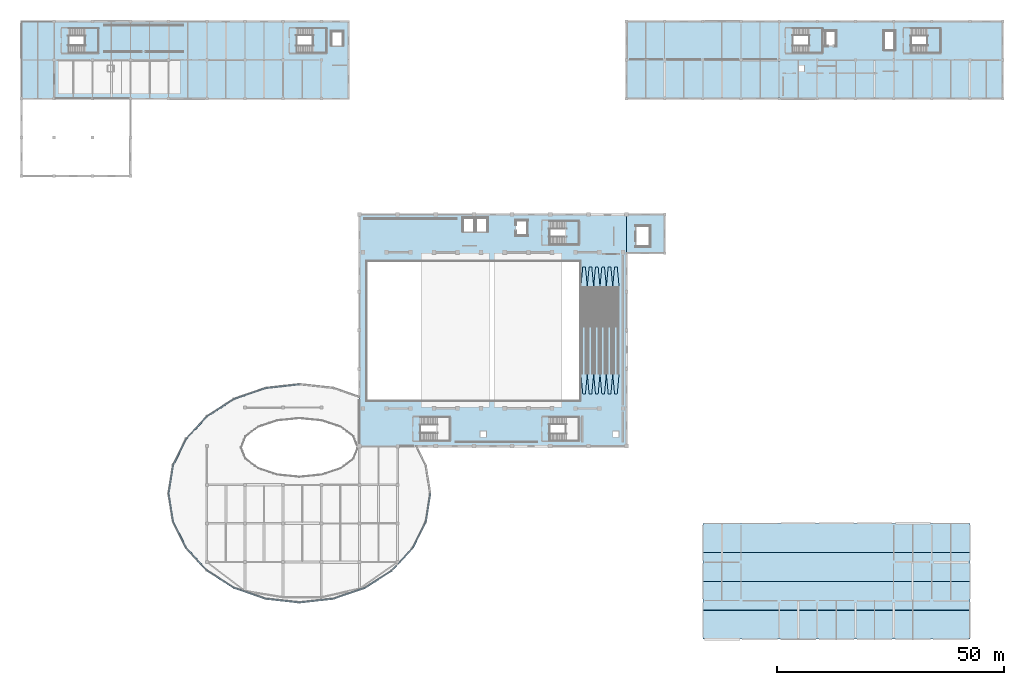
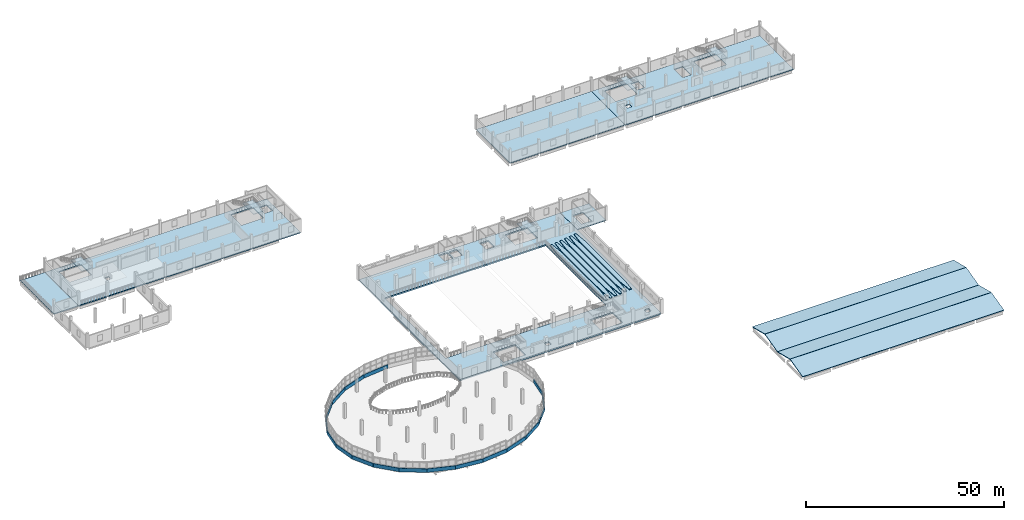
# One storey, part 35 of 50: 21 slabs, 19 walls, 5 elements without a shape of their own.
"""IFC4 building model written with IfcOpenShell, lengths in metres."""

from ifc_helpers import new_model, si_unit, direction, frame, frame_2d, origin, place, context, subcontext, project, spatial, polyline, rectangle, outline, extrude, material, layer, layer_set, type_object, element, aggregate, save


model = new_model("IFC4")

# Units and contexts
model_context = context("Model", 3, precision=1e-05, world=origin(), true_north=direction((0.0, 1.0)))
body_context = subcontext(model_context, "Body", "Model", "MODEL_VIEW")
ifc_project = project(units=[si_unit("LENGTHUNIT", "METRE"), si_unit("AREAUNIT", "SQUARE_METRE"), si_unit("VOLUMEUNIT", "CUBIC_METRE"), si_unit("PLANEANGLEUNIT", "RADIAN"), si_unit("MASSUNIT", "GRAM", prefix="KILO")], contexts=[model_context])

# Site, building, storey
site_placement = place(None, origin())
site = spatial("IfcSite", under=ifc_project, at=site_placement, CompositionType="ELEMENT")
building_placement = place(site_placement, origin())
building = spatial("IfcBuilding", under=site, at=building_placement, Name="Solvento Point Concert Hall", CompositionType="ELEMENT")
storey_placement = place(building_placement, frame((0.0, 0.0, 15.0)))
storey = spatial("IfcBuildingStorey", under=building, at=storey_placement, Name="L03", CompositionType="ELEMENT", Elevation=15.0)

# Slabs
ifc_material_1 = material(Name="Concrete C35/45", Category="concrete")
ifc_layer_1 = layer(ifc_material_1, 0.260009765625)
ifc_layer_set_1 = layer_set([ifc_layer_1], Name="Concrete C35/45")
slab_type_1 = type_object("IfcSlabType", Name="FloorSlab_260", PredefinedType="FLOOR", material=ifc_layer_set_1)
slab_1_placement = place(storey_placement, frame((0.0, 0.0, -0.260009765625)))
element("IfcSlab", 1, at=slab_1_placement, inside=storey, type_object=slab_type_1, Name="Structural slab SL-L03 SLAB-L03-V5K", PredefinedType="FLOOR", context=body_context, shape_type="SweptSolid", body=[
    extrude(outline(polyline([(133.199951171875, 136.0), (166.800048828125, 136.0), (166.800048828125, 119.0), (133.199951171875, 119.0), (133.199951171875, 136.0)])), origin(), (0.0, 0.0, 1.0), 0.260009765625),
])
slab_2_placement = place(storey_placement, frame((0.0, 0.0, -0.260009765625)))
element("IfcSlab", 2, at=slab_2_placement, inside=storey, type_object=slab_type_1, Name="Structural slab SL-L03 SLAB-L03-V5N", PredefinedType="FLOOR", context=body_context, shape_type="SweptSolid", body=[
    extrude(outline(polyline([(166.800048828125, 136.0), (216.0, 136.0), (216.0, 119.0), (166.800048828125, 119.0), (166.800048828125, 136.0)]), holes=[polyline([(202.300048828125, 129.10009765625), (202.300048828125, 134.5), (195.85009765625, 134.5), (195.85009765625, 129.10009765625), (202.300048828125, 129.10009765625)]), polyline([(192.280029296875, 133.8798828125), (189.919921875, 133.8798828125), (189.919921875, 129.719970703125), (192.280029296875, 129.719970703125), (192.280029296875, 133.8798828125)]), polyline([(179.280029296875, 130.719970703125), (179.280029296875, 133.8798828125), (177.1201171875, 133.8798828125), (177.1201171875, 130.719970703125), (179.280029296875, 130.719970703125)]), polyline([(176.300048828125, 134.5), (169.85009765625, 134.5), (169.85009765625, 129.10009765625), (176.300048828125, 129.10009765625), (176.300048828125, 134.5)]), polyline([(172.300048828125, 126.300048828125), (171.0, 126.300048828125), (171.0, 125.0), (172.300048828125, 125.0), (172.300048828125, 126.300048828125)])]), origin(), (0.0, 0.0, 1.0), 0.260009765625),
])
slab_3_placement = place(storey_placement, frame((0.0, 0.0, -0.260009765625)))
element("IfcSlab", 3, at=slab_3_placement, inside=storey, type_object=slab_type_1, Name="Structural slab SL-L03 SLAB-L03-V5M", PredefinedType="FLOOR", context=body_context, shape_type="SweptSolid", body=[
    extrude(outline(polyline([(133.199951171875, 93.5), (141.60009765625, 93.5), (141.60009765625, 85.0), (133.199951171875, 85.0), (133.199951171875, 93.5)]), holes=[polyline([(138.280029296875, 90.8798828125), (135.320068359375, 90.8798828125), (135.320068359375, 86.52001953125), (138.280029296875, 86.52001953125), (138.280029296875, 90.8798828125)])]), origin(), (0.0, 0.0, 1.0), 0.260009765625),
])
ifc_material_2 = material(Name="Concrete C35/45", Category="concrete")
ifc_layer_2 = layer(ifc_material_2, 0.31005859375)
ifc_layer_set_2 = layer_set([ifc_layer_2], Name="Concrete C35/45")
slab_type_2 = type_object("IfcSlabType", Name="FloorSlab_310_Rec", PredefinedType="FLOOR", material=ifc_layer_set_2)
slab_4_placement = place(storey_placement, frame((0.0, 0.0, -0.31005859375)))
element("IfcSlab", 4, at=slab_4_placement, inside=storey, type_object=slab_type_2, Name="Structural slab SL-REC SLAB-L03-V4N", PredefinedType="FLOOR", context=body_context, shape_type="SweptSolid", body=[
    extrude(outline(polyline([(7.199951171875, 136.0), (72.0, 136.0), (72.0, 119.0), (7.199951171875, 119.0), (7.199951171875, 136.0)]), holes=[polyline([(70.679931640625, 130.719970703125), (70.679931640625, 133.679931640625), (68.320068359375, 133.679931640625), (68.320068359375, 130.719970703125), (70.679931640625, 130.719970703125)]), polyline([(67.10009765625, 129.10009765625), (67.10009765625, 134.5), (60.64990234375, 134.5), (60.64990234375, 129.10009765625), (67.10009765625, 129.10009765625)]), polyline([(20.300048828125, 126.300048828125), (19.0, 126.300048828125), (19.0, 125.0), (20.300048828125, 125.0), (20.300048828125, 126.300048828125)]), polyline([(16.89990234375, 134.5), (10.449951171875, 134.5), (10.449951171875, 129.10009765625), (16.89990234375, 129.10009765625), (16.89990234375, 134.5)])]), origin(), (0.0, 0.0, 1.0), 0.31005859375),
])
ifc_material_3 = material(Name="Concrete C40/50", Category="concrete")
ifc_layer_3 = layer(ifc_material_3, 0.43994140625)
ifc_layer_set_3 = layer_set([ifc_layer_3], Name="Concrete C40/50")
slab_type_3 = type_object("IfcSlabType", Name="FloorSlab_415_Balc", PredefinedType="FLOOR", material=ifc_layer_set_3)
slab_5_placement = place(storey_placement, frame((0.0, 0.0, -0.43994140625)))
element("IfcSlab", 5, at=slab_5_placement, inside=storey, type_object=slab_type_3, Name="Structural slab SL-BAL SLAB-L03-V1", PredefinedType="FLOOR", context=body_context, shape_type="SweptSolid", body=[
    extrude(outline(polyline([(133.199951171875, 93.5), (133.199951171875, 42.5), (74.39990234375, 42.5), (74.39990234375, 93.5), (133.199951171875, 93.5)]), holes=[polyline([(131.5, 45.800048828125), (130.199951171875, 45.800048828125), (130.199951171875, 44.5), (131.5, 44.5), (131.5, 45.800048828125)]), polyline([(76.0, 52.5), (123.0, 52.5), (123.0, 83.199951171875), (76.0, 83.199951171875), (76.0, 52.5)]), polyline([(122.699951171875, 48.89990234375), (116.25, 48.89990234375), (116.25, 43.699951171875), (122.699951171875, 43.699951171875), (122.699951171875, 48.89990234375)]), polyline([(122.699951171875, 92.10009765625), (116.25, 92.10009765625), (116.25, 86.89990234375), (122.699951171875, 86.89990234375), (122.699951171875, 92.10009765625)]), polyline([(111.280029296875, 92.080078125), (108.919921875, 92.080078125), (108.919921875, 88.919921875), (111.280029296875, 88.919921875), (111.280029296875, 92.080078125)]), polyline([(102.47998046875, 92.679931640625), (100.1201171875, 92.679931640625), (100.1201171875, 89.719970703125), (102.47998046875, 89.719970703125), (102.47998046875, 92.679931640625)]), polyline([(102.300048828125, 45.800048828125), (101.0, 45.800048828125), (101.0, 44.5), (102.300048828125, 44.5), (102.300048828125, 45.800048828125)]), polyline([(99.679931640625, 92.679931640625), (97.320068359375, 92.679931640625), (97.320068359375, 89.719970703125), (99.679931640625, 89.719970703125), (99.679931640625, 92.679931640625)]), polyline([(94.300048828125, 48.89990234375), (87.85009765625, 48.89990234375), (87.85009765625, 43.699951171875), (94.300048828125, 43.699951171875), (94.300048828125, 48.89990234375)])]), origin(), (0.0, 0.0, 1.0), 0.43994140625),
])
ifc_material_4 = material(Name="Concrete C40/50", Category="concrete")
ifc_layer_4 = layer(ifc_material_4, 0.215087890625)
ifc_layer_set_4 = layer_set([ifc_layer_4], Name="Concrete C40/50")
slab_type_4 = type_object("IfcSlabType", Name="RoofFolded_215", PredefinedType="ROOF", material=ifc_layer_set_4)
for number, where, z_axis, x_axis, name in (
    (6, (150.0, 0.0, 0.205078125), (0.0, -0.243245183148, 0.969964834865), (1.0, 0.0, 0.0), "Chamber hall folded concrete shell roof #1"),
    (7, (150.0, 6.389892578125, 1.800048828125), (0.0, 0.243245183148, 0.969964834865), (1.0, 0.0, 0.0), "Chamber hall folded concrete shell roof #2"),
    (8, (150.0, 12.75, 0.205078125), (0.0, -0.243245183148, 0.969964834865), (1.0, 0.0, 0.0), "Chamber hall folded concrete shell roof #3"),
    (9, (150.0, 19.139892578125, 1.800048828125), (0.0, 0.243245183148, 0.969964834865), (1.0, 0.0, 0.0), "Chamber hall folded concrete shell roof #4"),
):
    element("IfcSlab", number, at=place(storey_placement, frame(where, z_axis=z_axis, x_axis=x_axis)), inside=storey, type_object=slab_type_4, Name=name, PredefinedType="ROOF", context=body_context, shape_type="SweptSolid", body=[
        extrude(outline(polyline([(0.0, 0.0), (58.800048828125, 0.0), (58.800048828125, 6.5570494859819775), (0.0, 6.5570494859819775), (0.0, 0.0)])), origin(), (0.0, 0.0, -1.0), 0.215087890625),
    ])
ifc_material_5 = material(Name="Concrete C35/45", Category="concrete")
ifc_layer_5 = layer(ifc_material_5, 0.18994140625)
ifc_layer_set_5 = layer_set([ifc_layer_5], Name="Concrete C35/45")
slab_type_5 = type_object("IfcSlabType", Name="SeatingTier_190", PredefinedType="USERDEFINED", material=ifc_layer_set_5)
slab_6_placement = place(storey_placement, frame((0.0, 0.0, 0.18994140625)))
element("IfcSlab", 10, at=slab_6_placement, inside=storey, type_object=slab_type_5, Name="Stand upper vineyard balcony tier row 1", ObjectType="SEATING TIER", PredefinedType="USERDEFINED", context=body_context, shape_type="SweptSolid", body=[
    extrude(outline(polyline([(123.569580078125, 54.0), (124.150390625, 54.0), (124.52001953125, 57.919921875), (124.52001953125, 78.080078125), (124.150390625, 82.0), (123.569580078125, 82.0), (123.199951171875, 78.080078125), (123.199951171875, 57.919921875), (123.569580078125, 54.0)])), origin(), (0.0, 0.0, 1.0), 0.18994140625),
])
slab_7_placement = place(storey_placement, frame((0.0, 0.0, 0.3701171875)))
element("IfcSlab", 11, at=slab_7_placement, inside=storey, type_object=slab_type_5, Name="Stand upper vineyard balcony tier row 2", ObjectType="SEATING TIER", PredefinedType="USERDEFINED", context=body_context, shape_type="SweptSolid", body=[
    extrude(outline(polyline([(124.969482421875, 54.0), (125.55029296875, 54.0), (125.919921875, 57.919921875), (125.919921875, 78.080078125), (125.55029296875, 82.0), (124.969482421875, 82.0), (124.60009765625, 78.080078125), (124.60009765625, 57.919921875), (124.969482421875, 54.0)])), origin(), (0.0, 0.0, 1.0), 0.18994140625),
])
slab_8_placement = place(storey_placement, frame((0.0, 0.0, 0.550048828125)))
element("IfcSlab", 12, at=slab_8_placement, inside=storey, type_object=slab_type_5, Name="Stand upper vineyard balcony tier row 3", ObjectType="SEATING TIER", PredefinedType="USERDEFINED", context=body_context, shape_type="SweptSolid", body=[
    extrude(outline(polyline([(126.36962890625, 54.0), (126.950439453125, 54.0), (127.320068359375, 57.919921875), (127.320068359375, 78.080078125), (126.950439453125, 82.0), (126.36962890625, 82.0), (126.0, 78.080078125), (126.0, 57.919921875), (126.36962890625, 54.0)])), origin(), (0.0, 0.0, 1.0), 0.18994140625),
])
slab_9_placement = place(storey_placement, frame((0.0, 0.0, 0.72998046875)))
element("IfcSlab", 13, at=slab_9_placement, inside=storey, type_object=slab_type_5, Name="Stand upper vineyard balcony tier row 4", ObjectType="SEATING TIER", PredefinedType="USERDEFINED", context=body_context, shape_type="SweptSolid", body=[
    extrude(outline(polyline([(127.76953125, 54.0), (128.350341796875, 54.0), (128.719970703125, 57.919921875), (128.719970703125, 78.080078125), (128.350341796875, 82.0), (127.76953125, 82.0), (127.39990234375, 78.080078125), (127.39990234375, 57.919921875), (127.76953125, 54.0)])), origin(), (0.0, 0.0, 1.0), 0.18994140625),
])
slab_10_placement = place(storey_placement, frame((0.0, 0.0, 0.909912109375)))
element("IfcSlab", 14, at=slab_10_placement, inside=storey, type_object=slab_type_5, Name="Stand upper vineyard balcony tier row 5", ObjectType="SEATING TIER", PredefinedType="USERDEFINED", context=body_context, shape_type="SweptSolid", body=[
    extrude(outline(polyline([(129.169677734375, 54.0), (129.75048828125, 54.0), (130.1201171875, 57.919921875), (130.1201171875, 78.080078125), (129.75048828125, 82.0), (129.169677734375, 82.0), (128.800048828125, 78.080078125), (128.800048828125, 57.919921875), (129.169677734375, 54.0)])), origin(), (0.0, 0.0, 1.0), 0.190185546875),
])
slab_11_placement = place(storey_placement, frame((0.0, 0.0, 1.090087890625)))
element("IfcSlab", 15, at=slab_11_placement, inside=storey, type_object=slab_type_5, Name="Stand upper vineyard balcony tier row 6", ObjectType="SEATING TIER", PredefinedType="USERDEFINED", context=body_context, shape_type="SweptSolid", body=[
    extrude(outline(polyline([(130.569580078125, 54.0), (131.150390625, 54.0), (131.52001953125, 57.919921875), (131.52001953125, 78.080078125), (131.150390625, 82.0), (130.569580078125, 82.0), (130.199951171875, 78.080078125), (130.199951171875, 57.919921875), (130.569580078125, 54.0)])), origin(), (0.0, 0.0, 1.0), 0.18994140625),
])

# Stair, slab
ifc_material_6 = material(Name="Concrete C35/45", Category="concrete")
stair_type_1 = type_object("IfcStairType", Name="CoreStair_1600", PredefinedType="HALF_TURN_STAIR", material=ifc_material_6)
stair_1_placement = place(storey_placement, origin())
stair_1 = element("IfcStair", 16, at=stair_1_placement, inside=storey, type_object=stair_type_1, Name="Protected exit stair ST-01 (L03 to L04)", PredefinedType="HALF_TURN_STAIR")
ifc_material_7 = material(Name="Concrete C35/45", Category="concrete")
ifc_layer_6 = layer(ifc_material_7, 0.179931640625)
ifc_layer_set_6 = layer_set([ifc_layer_6], Name="Concrete C35/45")
slab_type_6 = type_object("IfcSlabType", Name="StairLanding_180", PredefinedType="LANDING", material=ifc_layer_set_6)
slab_12_placement = place(storey_placement, frame((0.0, 0.0, 2.070068359375)))
slab_12 = element("IfcSlab", 17, at=slab_12_placement, type_object=slab_type_6, Name="Stair half-landing ST-01 L03", PredefinedType="LANDING", context=body_context, shape_type="SweptSolid", body=[
    extrude(outline(polyline([(173.320068359375, 128.9599609375), (176.43994140625, 128.9599609375), (176.43994140625, 134.639892578125), (173.320068359375, 134.639892578125), (173.320068359375, 128.9599609375)])), origin(), (0.0, 0.0, 1.0), 0.179931640625),
])
aggregate(stair_1, [slab_12])

ifc_material_8 = material(Name="Concrete C35/45", Category="concrete")
stair_type_2 = type_object("IfcStairType", Name="CoreStair_1680", PredefinedType="HALF_TURN_STAIR", material=ifc_material_8)
stair_2_placement = place(storey_placement, origin())
stair_2 = element("IfcStair", 18, at=stair_2_placement, inside=storey, type_object=stair_type_2, Name="Protected exit stair ST-02 (L03 to L04)", PredefinedType="HALF_TURN_STAIR")
slab_13_placement = place(storey_placement, frame((0.0, 0.0, 2.070068359375)))
slab_13 = element("IfcSlab", 19, at=slab_13_placement, type_object=slab_type_6, Name="Stair half-landing ST-02 L03", PredefinedType="LANDING", context=body_context, shape_type="SweptSolid", body=[
    extrude(outline(polyline([(199.320068359375, 128.9599609375), (202.43994140625, 128.9599609375), (202.43994140625, 134.639892578125), (199.320068359375, 134.639892578125), (199.320068359375, 128.9599609375)])), origin(), (0.0, 0.0, 1.0), 0.179931640625),
])
aggregate(stair_2, [slab_13])

ifc_material_9 = material(Name="Concrete C35/45", Category="concrete")
stair_type_3 = type_object("IfcStairType", Name="CoreStair_1760", PredefinedType="HALF_TURN_STAIR", material=ifc_material_9)
stair_3_placement = place(storey_placement, origin())
stair_3 = element("IfcStair", 20, at=stair_3_placement, inside=storey, type_object=stair_type_3, Name="Protected exit stair ST-03 (L03 to L04)", PredefinedType="HALF_TURN_STAIR")
slab_14_placement = place(storey_placement, frame((0.0, 0.0, 2.070068359375)))
slab_14 = element("IfcSlab", 21, at=slab_14_placement, type_object=slab_type_6, Name="Stair half-landing ST-03 L03", PredefinedType="LANDING", context=body_context, shape_type="SweptSolid", body=[
    extrude(outline(polyline([(119.719970703125, 86.760009765625), (122.840087890625, 86.760009765625), (122.840087890625, 92.239990234375), (119.719970703125, 92.239990234375), (119.719970703125, 86.760009765625)])), origin(), (0.0, 0.0, 1.0), 0.179931640625),
])
aggregate(stair_3, [slab_14])

stair_4_placement = place(storey_placement, origin())
stair_4 = element("IfcStair", 22, at=stair_4_placement, inside=storey, type_object=stair_type_1, Name="Protected exit stair ST-04 (L03 to L04)", PredefinedType="HALF_TURN_STAIR")
slab_15_placement = place(storey_placement, frame((0.0, 0.0, 2.070068359375)))
slab_15 = element("IfcSlab", 23, at=slab_15_placement, type_object=slab_type_6, Name="Stair half-landing ST-04 L03", PredefinedType="LANDING", context=body_context, shape_type="SweptSolid", body=[
    extrude(outline(polyline([(64.1201171875, 128.9599609375), (67.239990234375, 128.9599609375), (67.239990234375, 134.639892578125), (64.1201171875, 134.639892578125), (64.1201171875, 128.9599609375)])), origin(), (0.0, 0.0, 1.0), 0.179931640625),
])
aggregate(stair_4, [slab_15])

stair_5_placement = place(storey_placement, origin())
stair_5 = element("IfcStair", 24, at=stair_5_placement, inside=storey, type_object=stair_type_2, Name="Protected exit stair ST-05 (L03 to L04)", PredefinedType="HALF_TURN_STAIR")
slab_16_placement = place(storey_placement, frame((0.0, 0.0, 2.070068359375)))
slab_16 = element("IfcSlab", 25, at=slab_16_placement, type_object=slab_type_6, Name="Stair half-landing ST-05 L03", PredefinedType="LANDING", context=body_context, shape_type="SweptSolid", body=[
    extrude(outline(polyline([(13.919921875, 128.9599609375), (17.0400390625, 128.9599609375), (17.0400390625, 134.639892578125), (13.919921875, 134.639892578125), (13.919921875, 128.9599609375)])), origin(), (0.0, 0.0, 1.0), 0.179931640625),
])
aggregate(stair_5, [slab_16])

# Slab
ifc_material_10 = material(Name="Concrete C40/50", Category="concrete")
ifc_layer_7 = layer(ifc_material_10, 0.239990234375)
ifc_layer_set_7 = layer_set([ifc_layer_7], Name="Concrete C40/50")
slab_type_7 = type_object("IfcSlabType", Name="TerraceSlab_250", PredefinedType="FLOOR", material=ifc_layer_set_7)
slab_17_placement = place(storey_placement, frame((0.0, 0.0, -0.239990234375)))
element("IfcSlab", 26, at=slab_17_placement, inside=storey, type_object=slab_type_7, Name="Outdoor public terrace deck L03", PredefinedType="FLOOR", context=body_context, shape_type="SweptSolid", body=[
    extrude(outline(polyline([(0.0, 119.0), (0.0, 136.0), (7.199951171875, 136.0), (7.199951171875, 119.0), (0.0, 119.0)])), origin(), (0.0, 0.0, 1.0), 0.239990234375),
])

# Walls
ifc_material_11 = material(Name="Concrete C40/50", Category="concrete")
ifc_layer_8 = layer(ifc_material_11, 0.260009765625)
ifc_layer_set_8 = layer_set([ifc_layer_8], Name="Concrete C40/50")
wall_type = type_object("IfcWallType", Name="Parapet_Ring_260", PredefinedType="PARAPET", material=ifc_layer_set_8)
wall_1_placement = place(storey_placement, frame((53.74609375, 8.917724609375, 0.0), z_axis=(0.0, 0.0, 1.0), x_axis=(-0.945267362498, 0.326296817936, 0.0)))
element("IfcWall", 27, at=wall_1_placement, inside=storey, type_object=wall_type, Name="Sliding elliptical white concrete ring spandrel PR-01 L03", PredefinedType="PARAPET", context=body_context, shape_type="SweptSolid", body=[
    extrude(rectangle(XDim=7.34814453125, YDim=0.260009765625, at=frame_2d((3.674072265625, 0.0))), origin(), (0.0, 0.0, 1.0), 1.1201171875),
])
wall_2_placement = place(storey_placement, frame((46.800048828125, 11.3154296875, 0.0), z_axis=(0.0, 0.0, 1.0), x_axis=(-0.842498031916, 0.53869942103, 0.0)))
element("IfcWall", 28, at=wall_2_placement, inside=storey, type_object=wall_type, Name="Sliding elliptical white concrete ring spandrel PR-01 L03", PredefinedType="PARAPET", context=body_context, shape_type="SweptSolid", body=[
    extrude(rectangle(XDim=7.079833984375, YDim=0.260009765625, at=frame_2d((3.5400390625, 0.0))), origin(), (0.0, 0.0, 1.0), 1.1201171875),
])
wall_3_placement = place(storey_placement, frame((40.835205078125, 15.12939453125, 0.0), z_axis=(0.0, 0.0, 1.0), x_axis=(-0.677346104657, 0.735664498604, 0.0)))
element("IfcWall", 29, at=wall_3_placement, inside=storey, type_object=wall_type, Name="Sliding elliptical white concrete ring spandrel PR-01 L03", PredefinedType="PARAPET", context=body_context, shape_type="SweptSolid", body=[
    extrude(rectangle(XDim=6.7568359375, YDim=0.260009765625, at=frame_2d((3.37841796875, 0.0))), origin(), (0.0, 0.0, 1.0), 1.1201171875),
])
wall_4_placement = place(storey_placement, frame((36.258544921875, 20.10009765625, 0.0), z_axis=(0.0, 0.0, 1.0), x_axis=(-0.44512743906, 0.895467231671, 0.0)))
element("IfcWall", 30, at=wall_4_placement, inside=storey, type_object=wall_type, Name="Sliding elliptical white concrete ring spandrel PR-01 L03", PredefinedType="PARAPET", context=body_context, shape_type="SweptSolid", body=[
    extrude(rectangle(XDim=6.4638671875, YDim=0.260009765625, at=frame_2d((3.23193359375, 0.0))), origin(), (0.0, 0.0, 1.0), 1.1201171875),
])
wall_5_placement = place(storey_placement, frame((33.38134765625, 25.88818359375, 0.0), z_axis=(0.0, 0.0, 1.0), x_axis=(-0.156058259936, 0.98774785219, 0.0)))
element("IfcWall", 31, at=wall_5_placement, inside=storey, type_object=wall_type, Name="Sliding elliptical white concrete ring spandrel PR-01 L03", PredefinedType="PARAPET", context=body_context, shape_type="SweptSolid", body=[
    extrude(rectangle(XDim=6.2890625, YDim=0.260009765625, at=frame_2d((3.14453125, 0.0))), origin(), (0.0, 0.0, 1.0), 1.1201171875),
])
wall_6_placement = place(storey_placement, frame((32.39990234375, 32.10009765625, 0.0), z_axis=(0.0, 0.0, 1.0), x_axis=(0.15606424419, 0.987746906695, 0.0)))
element("IfcWall", 32, at=wall_6_placement, inside=storey, type_object=wall_type, Name="Sliding elliptical white concrete ring spandrel PR-01 L03", PredefinedType="PARAPET", context=body_context, shape_type="SweptSolid", body=[
    extrude(rectangle(XDim=6.288818359375, YDim=0.260009765625, at=frame_2d((3.14453125, 0.0))), origin(), (0.0, 0.0, 1.0), 1.1201171875),
])
wall_7_placement = place(storey_placement, frame((33.38134765625, 38.311767578125, 0.0), z_axis=(0.0, 0.0, 1.0), x_axis=(0.445112384226, 0.895474715114, 0.0)))
element("IfcWall", 33, at=wall_7_placement, inside=storey, type_object=wall_type, Name="Sliding elliptical white concrete ring spandrel PR-01 L03", PredefinedType="PARAPET", context=body_context, shape_type="SweptSolid", body=[
    extrude(rectangle(XDim=6.4638671875, YDim=0.260009765625, at=frame_2d((3.23193359375, 0.0))), origin(), (0.0, 0.0, 1.0), 1.1201171875),
])
wall_8_placement = place(storey_placement, frame((36.258544921875, 44.10009765625, 0.0), z_axis=(0.0, 0.0, 1.0), x_axis=(0.677364109905, 0.73564792028, 0.0)))
element("IfcWall", 34, at=wall_8_placement, inside=storey, type_object=wall_type, Name="Sliding elliptical white concrete ring spandrel PR-01 L03", PredefinedType="PARAPET", context=body_context, shape_type="SweptSolid", body=[
    extrude(rectangle(XDim=6.756591796875, YDim=0.260009765625, at=frame_2d((3.37841796875, 0.0))), origin(), (0.0, 0.0, 1.0), 1.1201171875),
])
wall_9_placement = place(storey_placement, frame((40.835205078125, 49.070556640625, 0.0), z_axis=(0.0, 0.0, 1.0), x_axis=(0.842498031916, 0.53869942103, 0.0)))
element("IfcWall", 35, at=wall_9_placement, inside=storey, type_object=wall_type, Name="Sliding elliptical white concrete ring spandrel PR-01 L03", PredefinedType="PARAPET", context=body_context, shape_type="SweptSolid", body=[
    extrude(rectangle(XDim=7.079833984375, YDim=0.260009765625, at=frame_2d((3.5400390625, 0.0))), origin(), (0.0, 0.0, 1.0), 1.1201171875),
])
wall_10_placement = place(storey_placement, frame((46.800048828125, 52.884521484375, 0.0), z_axis=(0.0, 0.0, 1.0), x_axis=(0.945267362498, 0.326296817936, 0.0)))
element("IfcWall", 36, at=wall_10_placement, inside=storey, type_object=wall_type, Name="Sliding elliptical white concrete ring spandrel PR-01 L03", PredefinedType="PARAPET", context=body_context, shape_type="SweptSolid", body=[
    extrude(rectangle(XDim=7.34814453125, YDim=0.260009765625, at=frame_2d((3.674072265625, 0.0))), origin(), (0.0, 0.0, 1.0), 1.1201171875),
])
wall_11_placement = place(storey_placement, frame((53.74609375, 55.2822265625, 0.0), z_axis=(0.0, 0.0, 1.0), x_axis=(0.99403407861, 0.109069934275, 0.0)))
element("IfcWall", 37, at=wall_11_placement, inside=storey, type_object=wall_type, Name="Sliding elliptical white concrete ring spandrel PR-01 L03", PredefinedType="PARAPET", context=body_context, shape_type="SweptSolid", body=[
    extrude(rectangle(XDim=7.49853515625, YDim=0.260009765625, at=frame_2d((3.749267578125, 0.0))), origin(), (0.0, 0.0, 1.0), 1.1201171875),
])
wall_12_placement = place(storey_placement, frame((90.0, 32.10009765625, 0.0), z_axis=(0.0, 0.0, 1.0), x_axis=(-0.156020384569, -0.987753835527, 0.0)))
element("IfcWall", 38, at=wall_12_placement, inside=storey, type_object=wall_type, Name="Sliding elliptical white concrete ring spandrel PR-01 L03", PredefinedType="PARAPET", context=body_context, shape_type="SweptSolid", body=[
    extrude(rectangle(XDim=6.288818359375, YDim=0.260009765625, at=frame_2d((3.14453125, 0.0))), origin(), (0.0, 0.0, 1.0), 1.1201171875),
])
wall_13_placement = place(storey_placement, frame((89.018798828125, 25.88818359375, 0.0), z_axis=(0.0, 0.0, 1.0), x_axis=(-0.44512743906, -0.895467231671, 0.0)))
element("IfcWall", 39, at=wall_13_placement, inside=storey, type_object=wall_type, Name="Sliding elliptical white concrete ring spandrel PR-01 L03", PredefinedType="PARAPET", context=body_context, shape_type="SweptSolid", body=[
    extrude(rectangle(XDim=6.4638671875, YDim=0.260009765625, at=frame_2d((3.23193359375, 0.0))), origin(), (0.0, 0.0, 1.0), 1.1201171875),
])
wall_14_placement = place(storey_placement, frame((86.1416015625, 20.10009765625, 0.0), z_axis=(0.0, 0.0, 1.0), x_axis=(-0.677367316699, -0.735644967541, 0.0)))
element("IfcWall", 40, at=wall_14_placement, inside=storey, type_object=wall_type, Name="Sliding elliptical white concrete ring spandrel PR-01 L03", PredefinedType="PARAPET", context=body_context, shape_type="SweptSolid", body=[
    extrude(rectangle(XDim=4.423828125, YDim=0.260009765625, at=frame_2d((2.2119140625, 0.0))), origin(), (0.0, 0.0, 1.0), 1.1201171875),
])
wall_15_placement = place(storey_placement, frame((82.969482421875, 16.655029296875, 0.0), z_axis=(0.0, 0.0, 1.0), x_axis=(-0.677370155587, -0.735642353539, 0.0)))
element("IfcWall", 41, at=wall_15_placement, inside=storey, type_object=wall_type, Name="Sliding elliptical white concrete ring spandrel PR-01 L03", PredefinedType="PARAPET", context=body_context, shape_type="SweptSolid", body=[
    extrude(rectangle(XDim=2.073974609375, YDim=0.260009765625, at=frame_2d((1.037109375, 0.0))), origin(), (0.0, 0.0, 1.0), 1.1201171875),
])
wall_16_placement = place(storey_placement, frame((81.564697265625, 15.12939453125, 0.0), z_axis=(0.0, 0.0, 1.0), x_axis=(-0.842488024503, -0.538715071785, 0.0)))
element("IfcWall", 42, at=wall_16_placement, inside=storey, type_object=wall_type, Name="Sliding elliptical white concrete ring spandrel PR-01 L03", PredefinedType="PARAPET", context=body_context, shape_type="SweptSolid", body=[
    extrude(rectangle(XDim=7.079833984375, YDim=0.260009765625, at=frame_2d((3.5400390625, 0.0))), origin(), (0.0, 0.0, 1.0), 1.1201171875),
])
wall_17_placement = place(storey_placement, frame((75.60009765625, 11.3154296875, 0.0), z_axis=(0.0, 0.0, 1.0), x_axis=(-0.945267362498, -0.326296817936, 0.0)))
element("IfcWall", 43, at=wall_17_placement, inside=storey, type_object=wall_type, Name="Sliding elliptical white concrete ring spandrel PR-01 L03", PredefinedType="PARAPET", context=body_context, shape_type="SweptSolid", body=[
    extrude(rectangle(XDim=7.34814453125, YDim=0.260009765625, at=frame_2d((3.674072265625, 0.0))), origin(), (0.0, 0.0, 1.0), 1.1201171875),
])
wall_18_placement = place(storey_placement, frame((68.654052734375, 8.917724609375, 0.0), z_axis=(0.0, 0.0, 1.0), x_axis=(-0.99403799511, -0.10903423443, 0.0)))
element("IfcWall", 44, at=wall_18_placement, inside=storey, type_object=wall_type, Name="Sliding elliptical white concrete ring spandrel PR-01 L03", PredefinedType="PARAPET", context=body_context, shape_type="SweptSolid", body=[
    extrude(rectangle(XDim=7.498779296875, YDim=0.260009765625, at=frame_2d((3.74951171875, 0.0))), origin(), (0.0, 0.0, 1.0), 1.1201171875),
])
wall_19_placement = place(storey_placement, frame((61.199951171875, 8.10009765625, 0.0), z_axis=(0.0, 0.0, 1.0), x_axis=(-0.994037608035, 0.109037763234, 0.0)))
element("IfcWall", 45, at=wall_19_placement, inside=storey, type_object=wall_type, Name="Sliding elliptical white concrete ring spandrel PR-01 L03", PredefinedType="PARAPET", context=body_context, shape_type="SweptSolid", body=[
    extrude(rectangle(XDim=7.49853515625, YDim=0.260009765625, at=frame_2d((3.749267578125, 0.0))), origin(), (0.0, 0.0, 1.0), 1.1201171875),
])

save(model, "model.ifc")
